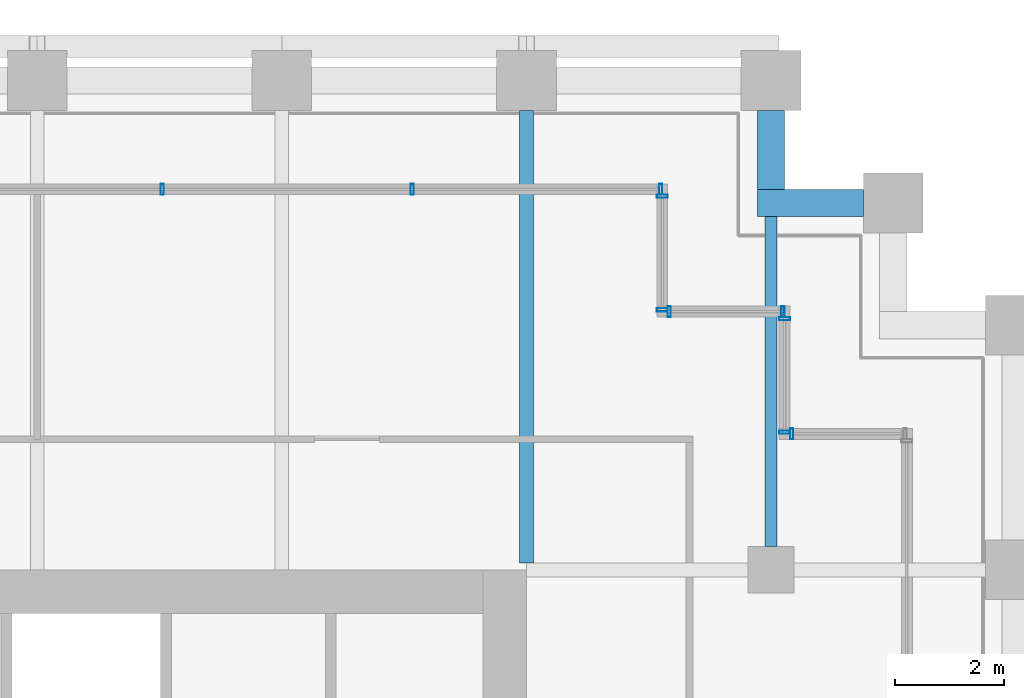
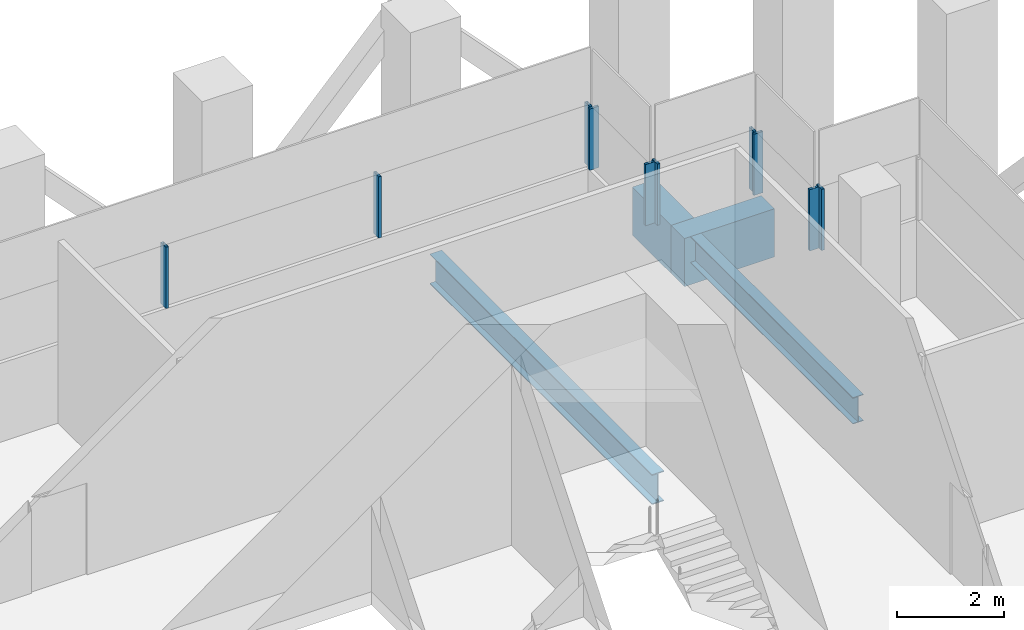
# One storey, part 31 of 44: 10 members, 4 beams, 5 elements without a shape of their own.
"""IFC4 building model written with IfcOpenShell, lengths in metres."""

import ifcopenshell
import ifcopenshell.guid

model = None  # the IFC model being written
_history = None  # IfcOwnerHistory: only IFC2X3 demands one
_inside = {}  # id of a spatial element -> (the spatial element, [elements in it])
_under = {}  # id of a project, library or spatial element -> (it, [spatial elements below it])
_declared = {}  # id of a project -> (the project, [libraries it declares])
_typed = {}  # id of a type object -> (the type object, [elements of that type])
_made_of = {}  # id of a material, layer set ... -> (it, [elements and type objects made of it])


def new_model(schema):
    """Start an empty IFC model of exactly this schema.

    Asked for "IFC4X3", IfcOpenShell would pick the latest addendum, in which some entities
    have other attributes; the version numbers below select the first issue.
    IFC2X3 requires an IfcOwnerHistory on every rooted entity: one is made here for all.
    """
    global model, _history
    if schema == "IFC4X3":
        model = ifcopenshell.file(schema_version=(4, 3, 0, 0))
    else:
        model = ifcopenshell.file(schema=schema)
    _inside.clear()
    _under.clear()
    _declared.clear()
    _typed.clear()
    _made_of.clear()
    _history = None
    if model.schema == "IFC2X3":
        org = make("IfcOrganization", Name="unknown")
        user = make(
            "IfcPersonAndOrganization",
            ThePerson=make("IfcPerson", FamilyName="unknown"),
            TheOrganization=org,
        )
        app = make(
            "IfcApplication",
            ApplicationDeveloper=org,
            Version="unknown",
            ApplicationFullName="unknown",
            ApplicationIdentifier="unknown",
        )
        _history = make(
            "IfcOwnerHistory",
            OwningUser=user,
            OwningApplication=app,
            ChangeAction="ADDED",
            CreationDate=0,
        )
    return model


def make(cls, **values):
    """One entity of the class cls with the attributes given. An attribute that is None is left unset."""
    return model.create_entity(
        cls, **{name: value for name, value in values.items() if value is not None}
    )


def rooted(cls, **values):
    """An entity with a GlobalId (a new one), such as an element, a storey or a relation."""
    return make(cls, GlobalId=ifcopenshell.guid.new(), OwnerHistory=_history, **values)


def si_unit(unit_type, name, prefix=None):
    """IfcSIUnit, for example si_unit("LENGTHUNIT", "METRE", prefix="MILLI")."""
    return make("IfcSIUnit", UnitType=unit_type, Prefix=prefix, Name=name)


def assignment(units):
    """IfcUnitAssignment: the units of a project."""
    return None if units is None else make("IfcUnitAssignment", Units=units)


def point(xyz):
    """IfcCartesianPoint."""
    return None if xyz is None else make("IfcCartesianPoint", Coordinates=xyz)


def direction(xyz):
    """IfcDirection."""
    return None if xyz is None else make("IfcDirection", DirectionRatios=xyz)


def frame(location, z_axis=None, x_axis=None):
    """IfcAxis2Placement3D, a coordinate frame: its origin and axes. An axis left out is left unset."""
    return make(
        "IfcAxis2Placement3D",
        Location=point(location),
        Axis=direction(z_axis),
        RefDirection=direction(x_axis),
    )


def frame_2d(location, x_axis=None):
    """IfcAxis2Placement2D, a coordinate frame in the plane: its origin and x axis."""
    return make(
        "IfcAxis2Placement2D", Location=point(location), RefDirection=direction(x_axis)
    )


def origin():
    """The frame at (0, 0, 0) with its axes left unset."""
    return frame((0.0, 0.0, 0.0))


def origin_2d():
    """The frame at (0, 0) in the plane with its x axis left unset."""
    return frame_2d((0.0, 0.0))


def place(relative_to, where):
    """IfcLocalPlacement: puts the frame where relative to a parent placement (None: the world)."""
    return make(
        "IfcLocalPlacement", PlacementRelTo=relative_to, RelativePlacement=where
    )


def context(
    kind, dimensions, precision=None, world=None, true_north=None, identifier=None
):
    """IfcGeometricRepresentationContext, for example the 3D "Model" context."""
    return make(
        "IfcGeometricRepresentationContext",
        ContextIdentifier=identifier,
        ContextType=kind,
        CoordinateSpaceDimension=dimensions,
        Precision=precision,
        WorldCoordinateSystem=world,
        TrueNorth=true_north,
    )


def subcontext(parent, identifier, kind, view, scale=None):
    """IfcGeometricRepresentationSubContext, for example "Body" below "Model"."""
    return make(
        "IfcGeometricRepresentationSubContext",
        ContextIdentifier=identifier,
        ContextType=kind,
        ParentContext=parent,
        TargetScale=scale,
        TargetView=view,
    )


def project(units=None, contexts=None):
    """IfcProject with its units and contexts."""
    return rooted(
        "IfcProject",
        Name="project",
        RepresentationContexts=contexts,
        UnitsInContext=assignment(units),
    )


def spatial(cls, under=None, at=None, **own):
    """A site, building, storey or space (cls), placed at a placement, below another one or the project."""
    s = rooted(cls, ObjectPlacement=at, **own)
    if under is not None:
        _under.setdefault(under.id(), (under, []))[1].append(s)
    return s


def profile(cls, at=None, kind="AREA", **sizes):
    """A parametric profile (cls). Its sizes go by their IFC names, for example OverallWidth=200.0."""
    return make(cls, ProfileType=kind, Position=at, **sizes)


def rectangle(**sizes):
    """IfcRectangleProfileDef."""
    return profile("IfcRectangleProfileDef", **sizes)


def hollow_rectangle(**sizes):
    """IfcRectangleHollowProfileDef."""
    return profile("IfcRectangleHollowProfileDef", **sizes)


def i_section(**sizes):
    """IfcIShapeProfileDef."""
    return profile("IfcIShapeProfileDef", **sizes)


def extrude(swept, where, along, depth):
    """IfcExtrudedAreaSolid: the profile swept, set in the frame where, extruded along a direction by depth."""
    return make(
        "IfcExtrudedAreaSolid",
        SweptArea=swept,
        Position=where,
        ExtrudedDirection=direction(along),
        Depth=depth,
    )


def shape(context_of_items, identifier, shape_type, items):
    """IfcShapeRepresentation: the items that make up one representation, for example the "Body"."""
    return make(
        "IfcShapeRepresentation",
        ContextOfItems=context_of_items,
        RepresentationIdentifier=identifier,
        RepresentationType=shape_type,
        Items=items,
    )


def material(Name=None, Category=None):
    """IfcMaterial."""
    return make("IfcMaterial", Name=Name, Category=Category)


def material_profile(
    of_material, cross_section, Name=None, Category=None, Priority=None
):
    """IfcMaterialProfile: a cross section and its material."""
    return make(
        "IfcMaterialProfile",
        Name=Name,
        Material=of_material,
        Profile=cross_section,
        Priority=Priority,
        Category=Category,
    )


def profile_set(profiles, Name=None, composite=None):
    """IfcMaterialProfileSet."""
    return make(
        "IfcMaterialProfileSet",
        Name=Name,
        MaterialProfiles=profiles,
        CompositeProfile=composite,
    )


def made_of(thing, what):
    """Note that an element or type object is made of a material, layer set ...; save() writes the relation."""
    if what is not None:
        _made_of.setdefault(what.id(), (what, []))[1].append(thing)
    return thing


def type_object(cls, material=None, **own):
    """A type object (cls), such as IfcWallType, which elements share."""
    return made_of(rooted(cls, **own), material)


def element(
    cls,
    number,
    at=None,
    inside=None,
    cuts=None,
    type_object=None,
    material=None,
    context=None,
    identifier="Body",
    shape_type=None,
    held_by="IfcProductDefinitionShape",
    body=None,
    shapes=None,
    **own,
):
    """One element of the class cls, such as IfcWall. Its Tag is "e" and its number.

    at: its placement. inside: the storey or other place that contains it. cuts: it is an
    opening in that element (IfcRelVoidsElement). A single representation is given by context,
    identifier, shape_type and body (its items); several are given by shapes. held_by: the class
    of the entity that holds the representations. save() writes the other relations.
    """
    e = rooted(cls, Tag="e%d" % number, ObjectPlacement=at, **own)
    if body is not None:
        shapes = [shape(context, identifier, shape_type, body)]
    if shapes is not None:
        e.Representation = make(held_by, Representations=shapes)
    if inside is not None:
        _inside.setdefault(inside.id(), (inside, []))[1].append(e)
    if cuts is not None:
        rooted(
            "IfcRelVoidsElement", RelatingBuildingElement=cuts, RelatedOpeningElement=e
        )
    if type_object is not None:
        _typed.setdefault(type_object.id(), (type_object, []))[1].append(e)
    return made_of(e, material)


def aggregate(whole, parts):
    """IfcRelAggregates: a whole, such as a stair, and the parts it consists of."""
    return rooted("IfcRelAggregates", RelatingObject=whole, RelatedObjects=parts)


def save(model, path):
    """Write the relations noted so far, then the file.

    IfcRelAggregates (storeys below a building ...), IfcRelContainedInSpatialStructure (elements
    in a storey), IfcRelDefinesByType, IfcRelAssociatesMaterial and IfcRelDeclares: one each for
    every whole, place, type object, material and project.
    """
    for whole, parts in _under.values():
        aggregate(whole, parts)
    for where, things in _inside.values():
        rooted(
            "IfcRelContainedInSpatialStructure",
            RelatedElements=things,
            RelatingStructure=where,
        )
    for kind, things in _typed.values():
        rooted("IfcRelDefinesByType", RelatedObjects=things, RelatingType=kind)
    for what, things in _made_of.values():
        rooted("IfcRelAssociatesMaterial", RelatedObjects=things, RelatingMaterial=what)
    for by, libraries in _declared.values():
        rooted("IfcRelDeclares", RelatingContext=by, RelatedDefinitions=libraries)
    model.write(path)


model = new_model("IFC4")

# Units and contexts
model_context = context("Model", 3, precision=1e-05, world=origin(), true_north=direction((0.0, 1.0)))
body_context = subcontext(model_context, "Body", "Model", "MODEL_VIEW")
ifc_project = project(units=[si_unit("LENGTHUNIT", "METRE"), si_unit("AREAUNIT", "SQUARE_METRE"), si_unit("VOLUMEUNIT", "CUBIC_METRE"), si_unit("PLANEANGLEUNIT", "RADIAN"), si_unit("MASSUNIT", "GRAM", prefix="KILO")], contexts=[model_context])

# Site, building, storey
site_placement = place(None, origin())
site = spatial("IfcSite", under=ifc_project, at=site_placement, CompositionType="ELEMENT")
building_placement = place(site_placement, origin())
building = spatial("IfcBuilding", under=site, at=building_placement, Name="Altepetl Exchange Towers", CompositionType="ELEMENT")
storey_placement = place(building_placement, frame((0.0, 0.0, 87.0)))
storey = spatial("IfcBuildingStorey", under=building, at=storey_placement, Name="L21 Refuge", CompositionType="ELEMENT", Elevation=87.0)

# Beams
ifc_material_1 = material(Name="Steel S355", Category="steel")
ifc_material_profile_1 = material_profile(ifc_material_1, i_section(OverallWidth=0.22802734375, OverallDepth=0.60791015625, WebThickness=0.01123046875, FlangeThickness=0.017333984375, at=origin_2d()), Name="W24X76")
ifc_profile_set_1 = profile_set([ifc_material_profile_1], Name="Steel S355")
beam_type_1 = type_object("IfcBeamType", Name="Floor beam W24X76", PredefinedType="BEAM", material=ifc_profile_set_1)
beam_1_placement = place(storey_placement, frame((121.5, 49.925048828125, -0.50390625), z_axis=(0.0, 1.0, 0.0), x_axis=(-1.0, 0.0, 0.0)))
element("IfcBeam", 1, at=beam_1_placement, inside=storey, type_object=beam_type_1, Name="bm:B:L21:003", PredefinedType="BEAM", context=body_context, shape_type="SweptSolid", body=[
    extrude(i_section(OverallWidth=0.22802734375, OverallDepth=0.60791015625, WebThickness=0.01123046875, FlangeThickness=0.017333984375, at=origin_2d()), origin(), (0.0, 0.0, 1.0), 6.074951171875),
])
ifc_material_profile_2 = material_profile(ifc_material_1, i_section(OverallWidth=0.25390625, OverallDepth=0.68798828125, WebThickness=0.01318359375, FlangeThickness=0.02099609375, at=origin_2d()), Name="W27X102")
ifc_profile_set_2 = profile_set([ifc_material_profile_2], Name="Steel S355")
beam_type_2 = type_object("IfcBeamType", Name="Floor beam W27X102", PredefinedType="BEAM", material=ifc_profile_set_2)
beam_2_placement = place(storey_placement, frame((117.0, 49.6279296875, -0.5439453125), z_axis=(0.0, 1.0, 0.0), x_axis=(-1.0, 0.0, 0.0)))
element("IfcBeam", 2, at=beam_2_placement, inside=storey, type_object=beam_type_2, Name="bm:B:L21:002", PredefinedType="BEAM", context=body_context, shape_type="SweptSolid", body=[
    extrude(i_section(OverallWidth=0.25390625, OverallDepth=0.68798828125, WebThickness=0.01318359375, FlangeThickness=0.02099609375, at=origin_2d()), origin(), (0.0, 0.0, 1.0), 8.322021484375),
])

# Curtain wall, member
ifc_material_2 = material(Name="Aluminium 6063-T6 glazing", Category="aluminium")
curtain_wall_type = type_object("IfcCurtainWallType", Name="Refuge slit glazing system", PredefinedType="NOTDEFINED", material=ifc_material_2)
curtain_wall_1_placement = place(storey_placement, origin())
curtain_wall_1 = element("IfcCurtainWall", 3, at=curtain_wall_1_placement, inside=storey, type_object=curtain_wall_type, Name="CW3 run", PredefinedType="NOTDEFINED")
ifc_material_3 = material(Name="Aluminium 6063-T6", Category="aluminium")
ifc_material_profile_3 = material_profile(ifc_material_3, hollow_rectangle(XDim=0.06005859375, YDim=0.199951171875, WallThickness=0.0029296875, at=origin_2d()), Name="Mullion 60x200 aluminium")
ifc_profile_set_3 = profile_set([ifc_material_profile_3], Name="Aluminium 6063-T6")
member_type = type_object("IfcMemberType", Name="Mullion 60x200 aluminium", PredefinedType="MULLION", material=ifc_profile_set_3)
member_1_placement = place(storey_placement, frame((121.8798828125, 52.0, 1.800048828125), z_axis=(0.0, 0.0, 1.0), x_axis=(-1.0, 0.0, 0.0)))
member_1 = element("IfcMember", 4, at=member_1_placement, type_object=member_type, Name="MU2 mullion", PredefinedType="MULLION", context=body_context, shape_type="SweptSolid", body=[
    extrude(hollow_rectangle(XDim=0.06005859375, YDim=0.199951171875, WallThickness=0.0029296875, at=origin_2d()), origin(), (0.0, 0.0, 1.0), 1.39990234375),
])
aggregate(curtain_wall_1, [member_1])

# Curtain wall, members
curtain_wall_2_placement = place(storey_placement, origin())
curtain_wall_2 = element("IfcCurtainWall", 5, at=curtain_wall_2_placement, inside=storey, type_object=curtain_wall_type, Name="CW3 run", PredefinedType="NOTDEFINED")
member_2_placement = place(storey_placement, frame((121.75, 52.030029296875, 1.800048828125), z_axis=(0.0, 0.0, 1.0), x_axis=(0.0, 1.0, 0.0)))
member_2 = element("IfcMember", 6, at=member_2_placement, type_object=member_type, Name="MU2 mullion", PredefinedType="MULLION", context=body_context, shape_type="SweptSolid", body=[
    extrude(hollow_rectangle(XDim=0.06005859375, YDim=0.199951171875, WallThickness=0.0029296875, at=origin_2d()), origin(), (0.0, 0.0, 1.0), 1.39990234375),
])
member_3_placement = place(storey_placement, frame((121.75, 54.1201171875, 1.800048828125), z_axis=(0.0, 0.0, 1.0), x_axis=(0.0, 1.0, 0.0)))
member_3 = element("IfcMember", 7, at=member_3_placement, type_object=member_type, Name="MU2 mullion", PredefinedType="MULLION", context=body_context, shape_type="SweptSolid", body=[
    extrude(hollow_rectangle(XDim=0.06005859375, YDim=0.199951171875, WallThickness=0.0029296875, at=origin_2d()), origin(), (0.0, 0.0, 1.0), 1.39990234375),
])
aggregate(curtain_wall_2, [member_2, member_3])

curtain_wall_3_placement = place(storey_placement, origin())
curtain_wall_3 = element("IfcCurtainWall", 8, at=curtain_wall_3_placement, inside=storey, type_object=curtain_wall_type, Name="CW3 run", PredefinedType="NOTDEFINED")
member_4_placement = place(storey_placement, frame((121.719970703125, 54.25, 1.800048828125), z_axis=(0.0, 0.0, 1.0), x_axis=(-1.0, 0.0, 0.0)))
member_4 = element("IfcMember", 9, at=member_4_placement, type_object=member_type, Name="MU2 mullion", PredefinedType="MULLION", context=body_context, shape_type="SweptSolid", body=[
    extrude(hollow_rectangle(XDim=0.06005859375, YDim=0.199951171875, WallThickness=0.0029296875, at=origin_2d()), origin(), (0.0, 0.0, 1.0), 1.39990234375),
])
member_5_placement = place(storey_placement, frame((119.6298828125, 54.25, 1.800048828125), z_axis=(0.0, 0.0, 1.0), x_axis=(-1.0, 0.0, 0.0)))
member_5 = element("IfcMember", 10, at=member_5_placement, type_object=member_type, Name="MU2 mullion", PredefinedType="MULLION", context=body_context, shape_type="SweptSolid", body=[
    extrude(hollow_rectangle(XDim=0.06005859375, YDim=0.199951171875, WallThickness=0.0029296875, at=origin_2d()), origin(), (0.0, 0.0, 1.0), 1.39990234375),
])
aggregate(curtain_wall_3, [member_4, member_5])

curtain_wall_4_placement = place(storey_placement, origin())
curtain_wall_4 = element("IfcCurtainWall", 11, at=curtain_wall_4_placement, inside=storey, type_object=curtain_wall_type, Name="CW3 run", PredefinedType="NOTDEFINED")
member_6_placement = place(storey_placement, frame((119.5, 54.280029296875, 1.800048828125), z_axis=(0.0, 0.0, 1.0), x_axis=(0.0, 1.0, 0.0)))
member_6 = element("IfcMember", 12, at=member_6_placement, type_object=member_type, Name="MU2 mullion", PredefinedType="MULLION", context=body_context, shape_type="SweptSolid", body=[
    extrude(hollow_rectangle(XDim=0.06005859375, YDim=0.199951171875, WallThickness=0.0029296875, at=origin_2d()), origin(), (0.0, 0.0, 1.0), 1.39990234375),
])
member_7_placement = place(storey_placement, frame((119.5, 56.3701171875, 1.800048828125), z_axis=(0.0, 0.0, 1.0), x_axis=(0.0, 1.0, 0.0)))
member_7 = element("IfcMember", 13, at=member_7_placement, type_object=member_type, Name="MU2 mullion", PredefinedType="MULLION", context=body_context, shape_type="SweptSolid", body=[
    extrude(hollow_rectangle(XDim=0.06005859375, YDim=0.199951171875, WallThickness=0.0029296875, at=origin_2d()), origin(), (0.0, 0.0, 1.0), 1.39990234375),
])
aggregate(curtain_wall_4, [member_6, member_7])

curtain_wall_5_placement = place(storey_placement, origin())
curtain_wall_5 = element("IfcCurtainWall", 14, at=curtain_wall_5_placement, inside=storey, type_object=curtain_wall_type, Name="CW3 run", PredefinedType="NOTDEFINED")
member_8_placement = place(storey_placement, frame((119.469970703125, 56.5, 1.800048828125), z_axis=(0.0, 0.0, 1.0), x_axis=(-1.0, 0.0, 0.0)))
member_8 = element("IfcMember", 15, at=member_8_placement, type_object=member_type, Name="MU2 mullion", PredefinedType="MULLION", context=body_context, shape_type="SweptSolid", body=[
    extrude(hollow_rectangle(XDim=0.06005859375, YDim=0.199951171875, WallThickness=0.0029296875, at=origin_2d()), origin(), (0.0, 0.0, 1.0), 1.39990234375),
])
member_9_placement = place(storey_placement, frame((114.89990234375, 56.5, 1.800048828125), z_axis=(0.0, 0.0, 1.0), x_axis=(-1.0, 0.0, 0.0)))
member_9 = element("IfcMember", 16, at=member_9_placement, type_object=member_type, Name="MU2 mullion", PredefinedType="MULLION", context=body_context, shape_type="SweptSolid", body=[
    extrude(hollow_rectangle(XDim=0.06005859375, YDim=0.199951171875, WallThickness=0.0029296875, at=origin_2d()), origin(), (0.0, 0.0, 1.0), 1.39990234375),
])
member_10_placement = place(storey_placement, frame((110.300048828125, 56.5, 1.800048828125), z_axis=(0.0, 0.0, 1.0), x_axis=(-1.0, 0.0, 0.0)))
member_10 = element("IfcMember", 17, at=member_10_placement, type_object=member_type, Name="MU2 mullion", PredefinedType="MULLION", context=body_context, shape_type="SweptSolid", body=[
    extrude(hollow_rectangle(XDim=0.06005859375, YDim=0.199951171875, WallThickness=0.0029296875, at=origin_2d()), origin(), (0.0, 0.0, 1.0), 1.39990234375),
])
aggregate(curtain_wall_5, [member_8, member_9, member_10])

# Beams
ifc_material_4 = material(Name="Concrete C50/60 precast with cantera amarilla facing", Category="concrete")
ifc_material_profile_4 = material_profile(ifc_material_4, rectangle(XDim=0.5, YDim=1.10009765625, at=origin_2d()), Name="500 x 1100")
ifc_profile_set_4 = profile_set([ifc_material_profile_4], Name="Concrete C50/60 precast with cantera amarilla facing")
beam_type_3 = type_object("IfcBeamType", Name="Spandrel beam 500x1100 cantera amarilla", PredefinedType="SPANDREL", material=ifc_profile_set_4)
beam_3_placement = place(storey_placement, frame((123.199951171875, 56.25, -0.75), z_axis=(-1.0, 0.0, 0.0), x_axis=(0.0, -1.0, 0.0)))
element("IfcBeam", 18, at=beam_3_placement, inside=storey, type_object=beam_type_3, Name="sp:B:L21:016", PredefinedType="SPANDREL", context=body_context, shape_type="SweptSolid", body=[
    extrude(rectangle(XDim=0.5, YDim=1.10009765625, at=origin_2d()), origin(), (0.0, 0.0, 1.0), 1.949951171875),
])
beam_4_placement = place(storey_placement, frame((121.5, 56.5, -0.75), z_axis=(0.0, 1.0, 0.0), x_axis=(-1.0, 0.0, 0.0)))
element("IfcBeam", 19, at=beam_4_placement, inside=storey, type_object=beam_type_3, Name="sp:B:L21:017", PredefinedType="SPANDREL", context=body_context, shape_type="SweptSolid", body=[
    extrude(rectangle(XDim=0.5, YDim=1.10009765625, at=origin_2d()), origin(), (0.0, 0.0, 1.0), 1.449951171875),
])

save(model, "model.ifc")
